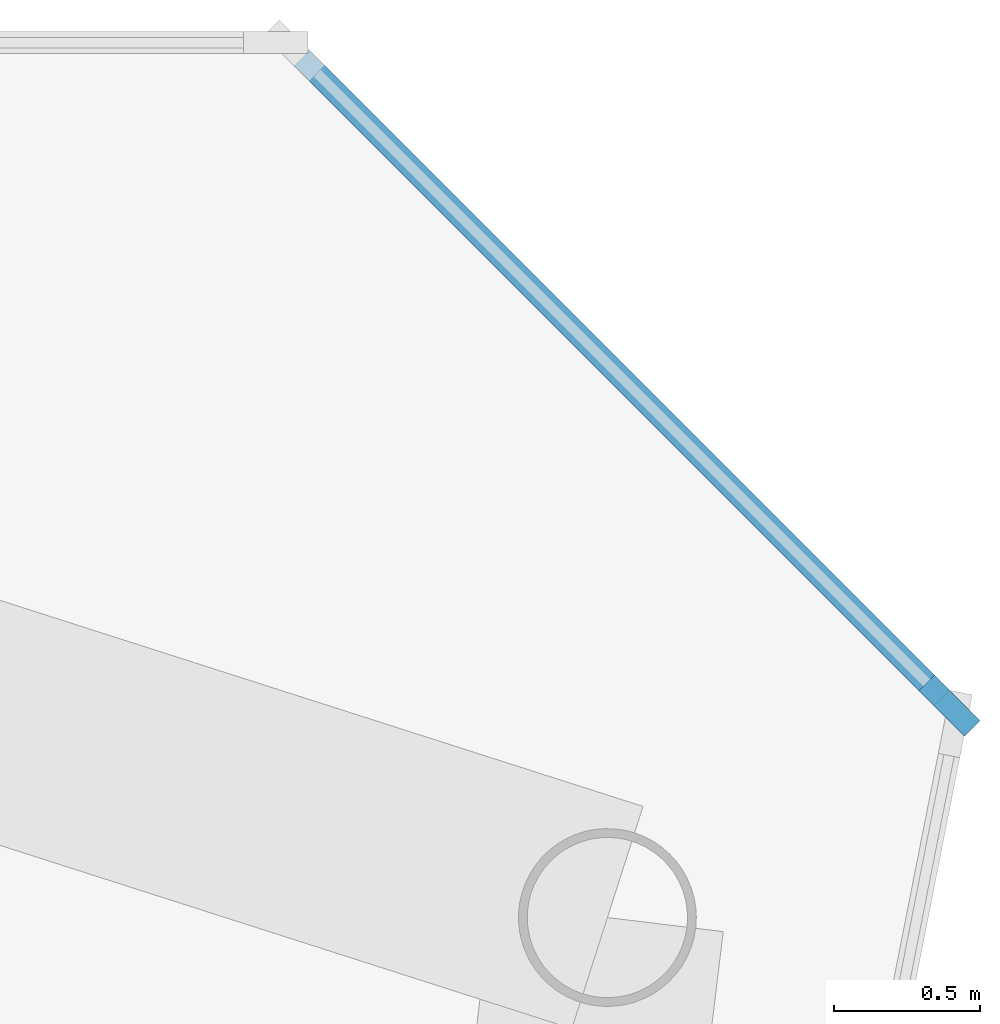
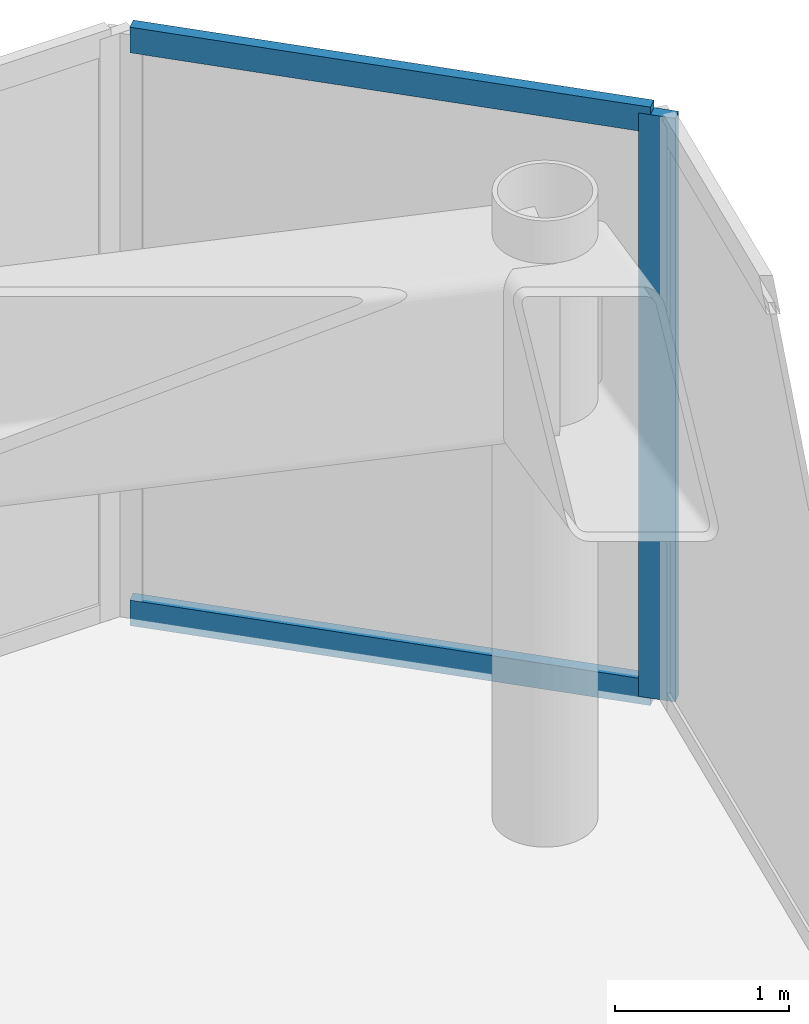
# One storey, part 6 of 12: 3 members, 1 element without a shape of its own.
"""IFC4 building model written with IfcOpenShell, lengths in metres."""

from ifc_helpers import new_model, si_unit, direction, frame, origin, origin_2d, place, context, subcontext, project, spatial, rectangle, extrude, source, transform, mapped, material, layer, layer_set, material_profile, profile_set, type_object, element, aggregate, save


model = new_model("IFC4")

# Units and contexts
model_context = context("Model", 3, precision=1e-05, world=origin(), true_north=direction((0.0, 1.0)))
body_context = subcontext(model_context, "Body", "Model", "MODEL_VIEW")
ifc_project = project(units=[si_unit("LENGTHUNIT", "METRE"), si_unit("AREAUNIT", "SQUARE_METRE"), si_unit("VOLUMEUNIT", "CUBIC_METRE"), si_unit("PLANEANGLEUNIT", "RADIAN"), si_unit("MASSUNIT", "GRAM", prefix="KILO")], contexts=[model_context])

# Site, building, storey
site_placement = place(None, origin())
site = spatial("IfcSite", under=ifc_project, at=site_placement, CompositionType="ELEMENT")
building_placement = place(site_placement, origin())
building = spatial("IfcBuilding", under=site, at=building_placement, Name="Vaeldorn Concourse Tower", CompositionType="ELEMENT")
storey_placement = place(building_placement, frame((0.0, 0.0, 308.39990234375)))
storey = spatial("IfcBuildingStorey", under=building, at=storey_placement, Name="L79", CompositionType="ELEMENT", Elevation=308.39990234375)

# Curtain wall, members
ifc_material = material(Name="Anodised Bronze Aluminium", Category="aluminium")
ifc_layer = layer(ifc_material, 0.22998046875)
ifc_layer_set = layer_set([ifc_layer], Name="Anodised Bronze Aluminium")
curtain_wall_type = type_object("IfcCurtainWallType", Name="CW-SYS-07", PredefinedType="NOTDEFINED", material=ifc_layer_set)
curtain_wall_placement = place(storey_placement, origin())
curtain_wall = element("IfcCurtainWall", 1, at=curtain_wall_placement, inside=storey, type_object=curtain_wall_type, Name="Unitised Curtain Wall CW-L79-E04-1", PredefinedType="NOTDEFINED")
ifc_material_profile_1 = material_profile(ifc_material, rectangle(XDim=0.074951171875, YDim=0.179931640625, at=origin_2d()), Name="CWT 75x180")
ifc_profile_set_1 = profile_set([ifc_material_profile_1], Name="Anodised Bronze Aluminium")
member_type_1 = type_object("IfcMemberType", Name="CWT-BRONZE-180", PredefinedType="USERDEFINED", material=ifc_profile_set_1)
shared_shape_1 = source(origin(), body_context, "Body", "SweptSolid", [
    extrude(rectangle(XDim=0.074951171875, YDim=0.179931640625, at=origin_2d()), origin(), (0.0, 0.0, 1.0), 3.10302734375),
])
member_1_placement = place(storey_placement, frame((62.947021484375, 48.7529296875, 0.03759765625), z_axis=(-0.707106781187, 0.707106781187, 0.0), x_axis=(-0.707106781187, -0.707106781187, 0.0)))
member_1 = element("IfcMember", 2, at=member_1_placement, type_object=member_type_1, Name="CW-07 transom 1.1", ObjectType="TRANSOM", PredefinedType="USERDEFINED", context=body_context, shape_type="MappedRepresentation", body=[
    mapped(shared_shape_1, transform((0.0, 0.0, 0.0), scale=1.0)),
])
member_2_placement = place(storey_placement, frame((62.947021484375, 48.7529296875, 4.0625), z_axis=(-0.707106781187, 0.707106781187, 0.0), x_axis=(-0.707106781187, -0.707106781187, 0.0)))
member_2 = element("IfcMember", 3, at=member_2_placement, type_object=member_type_1, Name="CW-07 transom 1.2", ObjectType="TRANSOM", PredefinedType="USERDEFINED", context=body_context, shape_type="MappedRepresentation", body=[
    mapped(shared_shape_1, transform((0.0, 0.0, 0.0), scale=1.0)),
])
ifc_material_profile_2 = material_profile(ifc_material, rectangle(XDim=0.074951171875, YDim=0.219970703125, at=origin_2d()), Name="CWM 75x220")
ifc_profile_set_2 = profile_set([ifc_material_profile_2], Name="Anodised Bronze Aluminium")
member_type_2 = type_object("IfcMemberType", Name="CWM-BRONZE-220", PredefinedType="MULLION", material=ifc_profile_set_2)
shared_shape_2 = source(origin(), body_context, "Body", "SweptSolid", [
    extrude(rectangle(XDim=0.074951171875, YDim=0.219970703125, at=origin_2d()), origin(), (0.0, 0.0, 1.0), 4.10009765625),
])
member_3_placement = place(storey_placement, frame((62.973388671875, 48.7265625, 0.0), z_axis=(0.0, 0.0, 1.0), x_axis=(-0.707106781187, -0.707106781187, 0.0)))
member_3 = element("IfcMember", 4, at=member_3_placement, type_object=member_type_2, Name="CW-07 mullion 1", PredefinedType="MULLION", context=body_context, shape_type="MappedRepresentation", body=[
    mapped(shared_shape_2, transform((0.0, 0.0, 0.0), scale=1.0)),
])
aggregate(curtain_wall, [member_3, member_1, member_2])

save(model, "model.ifc")
